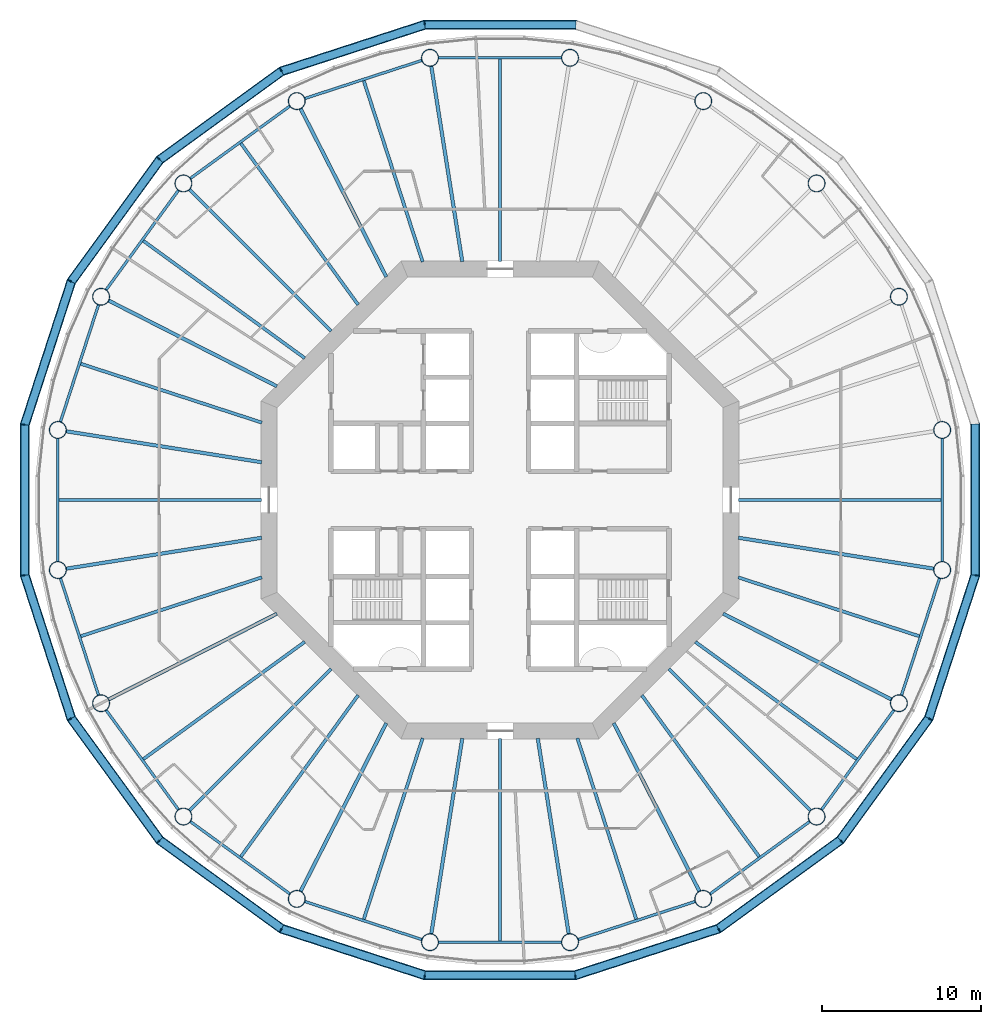
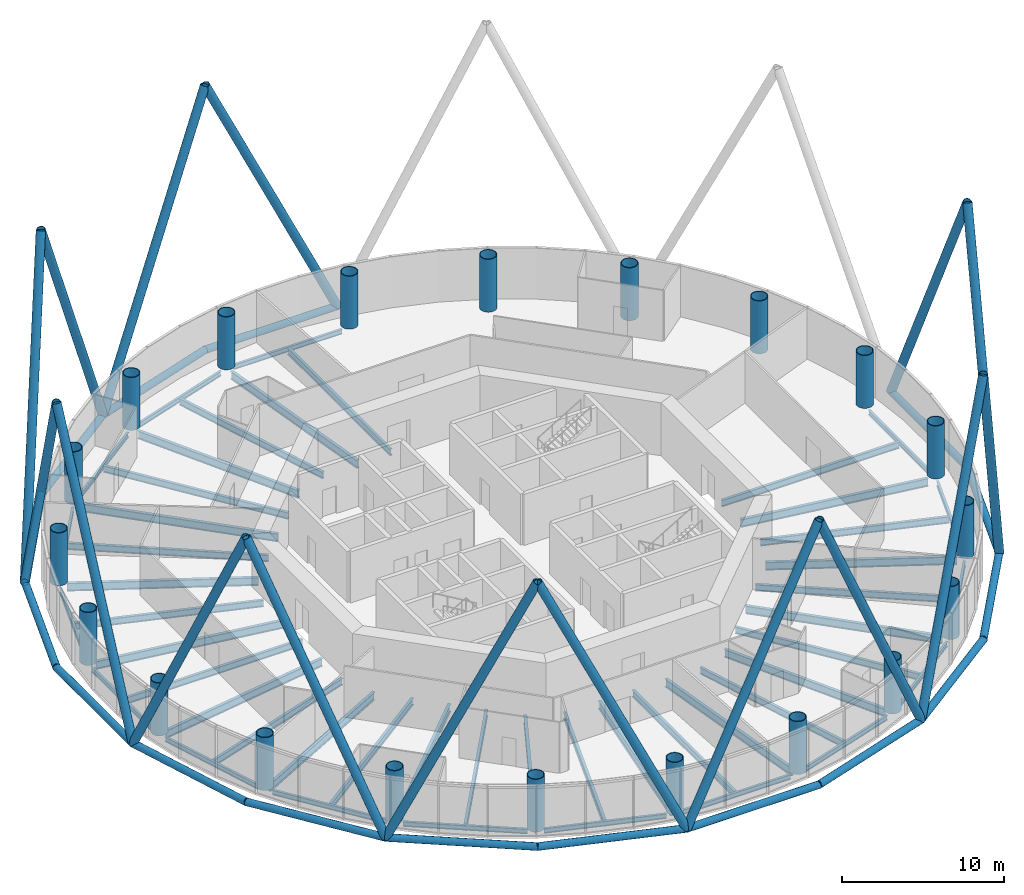
# One storey, part 1 of 13: 47 beams, 32 members, 20 columns.
"""IFC4 building model written with IfcOpenShell, lengths in metres."""

from ifc_helpers import new_model, si_unit, direction, frame, origin, origin_2d, place, context, subcontext, project, spatial, circle, hollow_circle, i_section, extrude, material, material_profile, profile_set, type_object, element, save


model = new_model("IFC4")

# Units and contexts
model_context = context("Model", 3, precision=1e-05, world=origin(), true_north=direction((0.0, 1.0)))
body_context = subcontext(model_context, "Body", "Model", "MODEL_VIEW")
ifc_project = project(units=[si_unit("LENGTHUNIT", "METRE"), si_unit("AREAUNIT", "SQUARE_METRE"), si_unit("VOLUMEUNIT", "CUBIC_METRE"), si_unit("PLANEANGLEUNIT", "RADIAN"), si_unit("MASSUNIT", "GRAM", prefix="KILO")], contexts=[model_context])

# Site, building, storey
site_placement = place(None, origin())
site = spatial("IfcSite", under=ifc_project, at=site_placement, CompositionType="ELEMENT")
building_placement = place(site_placement, origin())
building = spatial("IfcBuilding", under=site, at=building_placement, Name="Entoto Ring Tower", CompositionType="ELEMENT")
storey_placement = place(building_placement, frame((0.0, 0.0, 180.0)))
storey = spatial("IfcBuildingStorey", under=building, at=storey_placement, Name="L41", CompositionType="ELEMENT", Elevation=180.0)

# Columns
ifc_material_1 = material(Name="Steel S355", Category="steel")
ifc_material_profile_1 = material_profile(ifc_material_1, hollow_circle(Radius=0.550048828125, WallThickness=0.050048828125, at=origin_2d()), Name="CHS 1100 x 50")
ifc_material_2 = material(Name="Concrete C60/75", Category="concrete")
ifc_material_profile_2 = material_profile(ifc_material_2, circle(Radius=0.5, at=origin_2d()), Name="Concrete C60/75 infill")
ifc_profile_set_1 = profile_set([ifc_material_profile_1, ifc_material_profile_2], Name="Steel S355")
column_type = type_object("IfcColumnType", Name="Ring column 1100 x 50 concrete-filled tube", PredefinedType="COLUMN", material=ifc_profile_set_1)
for number, where, z_axis, x_axis, name in (
    (1, (117.754150390625, 84.395751953125, 0.0), (0.0, 0.0, 1.0), (1.0, 0.0, 0.0), "RC3 R01"),
    (2, (115.037353515625, 92.757080078125, 0.0), (0.0, 0.0, 1.0), (1.0, 0.0, 0.0), "RC3 R02"),
    (3, (109.86962890625, 99.86962890625, 0.0), (0.0, 0.0, 1.0), (1.0, 0.0, 0.0), "RC3 R03"),
    (4, (102.757080078125, 105.037353515625, 0.0), (0.0, 0.0, 1.0), (1.0, 0.0, 0.0), "RC3 R04"),
    (5, (94.395751953125, 107.754150390625, 0.0), (0.0, 0.0, 1.0), (1.0, 0.0, 0.0), "RC3 R05"),
    (6, (85.604248046875, 107.754150390625, 0.0), (0.0, 0.0, 1.0), (1.0, 0.0, 0.0), "RC3 R06"),
    (7, (77.242919921875, 105.037353515625, 0.0), (0.0, 0.0, 1.0), (1.0, 0.0, 0.0), "RC3 R07"),
    (8, (70.13037109375, 99.86962890625, 0.0), (0.0, 0.0, 1.0), (1.0, 0.0, 0.0), "RC3 R08"),
    (9, (64.962646484375, 92.757080078125, 0.0), (0.0, 0.0, 1.0), (1.0, 0.0, 0.0), "RC3 R09"),
    (10, (62.245849609375, 84.395751953125, 0.0), (0.0, 0.0, 1.0), (1.0, 0.0, 0.0), "RC3 R10"),
    (11, (62.245849609375, 75.604248046875, 0.0), (0.0, 0.0, 1.0), (1.0, 0.0, 0.0), "RC3 R11"),
    (12, (64.962646484375, 67.242919921875, 0.0), (0.0, 0.0, 1.0), (1.0, 0.0, 0.0), "RC3 R12"),
    (13, (70.13037109375, 60.13037109375, 0.0), (0.0, 0.0, 1.0), (1.0, 0.0, 0.0), "RC3 R13"),
    (14, (77.242919921875, 54.962646484375, 0.0), (0.0, 0.0, 1.0), (1.0, 0.0, 0.0), "RC3 R14"),
    (15, (85.604248046875, 52.245849609375, 0.0), (0.0, 0.0, 1.0), (1.0, 0.0, 0.0), "RC3 R15"),
    (16, (94.395751953125, 52.245849609375, 0.0), (0.0, 0.0, 1.0), (1.0, 0.0, 0.0), "RC3 R16"),
    (17, (102.757080078125, 54.962646484375, 0.0), (0.0, 0.0, 1.0), (1.0, 0.0, 0.0), "RC3 R17"),
    (18, (109.86962890625, 60.13037109375, 0.0), (0.0, 0.0, 1.0), (1.0, 0.0, 0.0), "RC3 R18"),
    (19, (115.037353515625, 67.242919921875, 0.0), (0.0, 0.0, 1.0), (1.0, 0.0, 0.0), "RC3 R19"),
    (20, (117.754150390625, 75.604248046875, 0.0), (0.0, 0.0, 1.0), (1.0, 0.0, 0.0), "RC3 R20"),
):
    element("IfcColumn", number, at=place(storey_placement, frame(where, z_axis=z_axis, x_axis=x_axis)), inside=storey, type_object=column_type, Name=name, PredefinedType="COLUMN", context=body_context, shape_type="SweptSolid", body=[
        extrude(hollow_circle(Radius=0.550048828125, WallThickness=0.050048828125, at=origin_2d()), origin(), (0.0, 0.0, 1.0), 4.0),
    ])

# Members
ifc_material_3 = material(Name="Steel S355", Category="steel")
ifc_material_profile_3 = material_profile(ifc_material_3, hollow_circle(Radius=0.300048828125, WallThickness=0.030029296875, at=origin_2d()), Name="CHS 600 x 30")
ifc_material_4 = material(Name="Concrete C60/75", Category="concrete")
ifc_material_profile_4 = material_profile(ifc_material_4, circle(Radius=0.27001953125, at=origin_2d()), Name="Concrete C60/75 infill")
ifc_profile_set_2 = profile_set([ifc_material_profile_3, ifc_material_profile_4], Name="Steel S355")
member_type_1 = type_object("IfcMemberType", Name="Diagrid diagonal 600 x 30 concrete-filled tube", PredefinedType="BRACE", material=ifc_profile_set_2)
for number, where, z_axis, x_axis, name in (
    (21, (119.828125, 84.724365234375, 0.0), (0.0, -0.427164734279, 0.904173816137), (1.0, 0.0, 0.0), "DG4 module 13 01"),
    (22, (94.724365234375, 109.828125, 0.0), (-0.427164734279, 0.0, 0.904173816137), (0.0, -1.0, 0.0), "DG4 module 13 06"),
    (23, (76.28955078125, 106.908447265625, 0.0), (0.406250870943, 0.131995385813, 0.904177774545), (-0.309009532745, 0.951058940693, 0.0), "DG4 module 13 07"),
    (24, (76.28955078125, 106.908447265625, 0.0), (-0.345588098254, -0.2510759177, 0.904173517582), (0.587772178061, -0.809026493198, 0.0), "DG4 module 13 08"),
    (25, (63.091552734375, 93.71044921875, 0.0), (0.2510759177, 0.345588098254, 0.904173517582), (-0.809026493198, 0.587772178061, 0.0), "DG4 module 13 09"),
    (26, (63.091552734375, 93.71044921875, 0.0), (-0.131995385813, -0.406250870943, 0.904177774545), (0.951058940693, -0.309009532745, 0.0), "DG4 module 13 10"),
    (27, (60.171875, 75.275634765625, 0.0), (0.0, 0.427164734279, 0.904173816137), (-1.0, 0.0, 0.0), "DG4 module 13 11"),
    (28, (60.171875, 75.275634765625, 0.0), (0.131995385813, -0.406250870943, 0.904177774545), (0.951058940693, 0.309009532745, 0.0), "DG4 module 13 12"),
    (29, (68.645263671875, 58.645263671875, 0.0), (-0.2510759177, 0.345588098254, 0.904173517582), (-0.809026493198, -0.587772178061, 0.0), "DG4 module 13 13"),
    (30, (68.645263671875, 58.645263671875, 0.0), (0.345588098254, -0.2510759177, 0.904173517582), (0.587772178061, 0.809026493198, 0.0), "DG4 module 13 14"),
    (31, (85.275634765625, 50.171875, 0.0), (-0.406250870943, 0.131995385813, 0.904177774545), (-0.309009532745, -0.951058940693, 0.0), "DG4 module 13 15"),
    (32, (85.275634765625, 50.171875, 0.0), (0.427164734279, 0.0, 0.904173816137), (0.0, 1.0, 0.0), "DG4 module 13 16"),
    (33, (103.71044921875, 53.091552734375, 0.0), (-0.406250870943, -0.131995385813, 0.904177774545), (0.309009532745, -0.951058940693, 0.0), "DG4 module 13 17"),
    (34, (103.71044921875, 53.091552734375, 0.0), (0.345588098254, 0.2510759177, 0.904173517582), (-0.587772178061, 0.809026493198, 0.0), "DG4 module 13 18"),
    (35, (116.908447265625, 66.28955078125, 0.0), (-0.2510759177, -0.345588098254, 0.904173517582), (0.809026493198, -0.587772178061, 0.0), "DG4 module 13 19"),
    (36, (116.908447265625, 66.28955078125, 0.0), (0.131995385813, 0.406250870943, 0.904177774545), (-0.951058940693, 0.309009532745, 0.0), "DG4 module 13 20"),
):
    element("IfcMember", number, at=place(storey_placement, frame(where, z_axis=z_axis, x_axis=x_axis)), inside=storey, type_object=member_type_1, Name=name, PredefinedType="BRACE", context=body_context, shape_type="SweptSolid", body=[
        extrude(hollow_circle(Radius=0.300048828125, WallThickness=0.030029296875, at=origin_2d()), origin(), (0.0, 0.0, 1.0), 22.11962890625),
    ])
ifc_material_5 = material(Name="Steel S355", Category="steel")
ifc_material_profile_5 = material_profile(ifc_material_5, hollow_circle(Radius=0.25390625, WallThickness=0.030029296875, at=origin_2d()), Name="CHS 508 x 30")
ifc_material_6 = material(Name="Concrete C60/75", Category="concrete")
ifc_material_profile_6 = material_profile(ifc_material_6, circle(Radius=0.22412109375, at=origin_2d()), Name="Concrete C60/75 infill")
ifc_profile_set_3 = profile_set([ifc_material_profile_5, ifc_material_profile_6], Name="Steel S355")
member_type_2 = type_object("IfcMemberType", Name="Diagrid ring beam 508 x 30", PredefinedType="CHORD", material=ifc_profile_set_3)
member_1_placement = place(storey_placement, frame((94.78466796875, 109.828125, 0.0), z_axis=(-1.0, 0.0, 0.0), x_axis=(0.0, -1.0, 0.0)))
element("IfcMember", 37, at=member_1_placement, inside=storey, type_object=member_type_2, Name="DR2 ring 12 05", PredefinedType="CHORD", context=body_context, shape_type="SweptSolid", body=[
    extrude(hollow_circle(Radius=0.25390625, WallThickness=0.030029296875, at=origin_2d()), origin(), (0.0, 0.0, 1.0), 9.5693359375),
])
for number, where, z_axis, x_axis, name in (
    (38, (85.3330078125, 109.8466796875, 0.0), (-0.951064250524, -0.308993189852, 0.0), (0.308993189852, -0.951064250524, 0.0), "DR2 ring 12 06"),
    (39, (76.338134765625, 106.94384765625, 0.0), (-0.809016230274, -0.587786303985, 0.0), (0.587786303985, -0.809016230274, 0.0), "DR2 ring 12 07"),
    (40, (68.6806640625, 101.4033203125, 0.0), (-0.587786303985, -0.809016230274, 0.0), (0.809016230274, -0.587786303985, 0.0), "DR2 ring 12 08"),
    (41, (63.110107421875, 93.767822265625, 0.0), (-0.308993189852, -0.951064250524, 0.0), (0.951064250524, -0.308993189852, 0.0), "DR2 ring 12 09"),
):
    element("IfcMember", number, at=place(storey_placement, frame(where, z_axis=z_axis, x_axis=x_axis)), inside=storey, type_object=member_type_2, Name=name, PredefinedType="CHORD", context=body_context, shape_type="SweptSolid", body=[
        extrude(hollow_circle(Radius=0.25390625, WallThickness=0.030029296875, at=origin_2d()), origin(), (0.0, 0.0, 1.0), 9.569091796875),
    ])
member_2_placement = place(storey_placement, frame((60.171875, 84.78466796875, 0.0), z_axis=(0.0, -1.0, 0.0), x_axis=(1.0, 0.0, 0.0)))
element("IfcMember", 42, at=member_2_placement, inside=storey, type_object=member_type_2, Name="DR2 ring 12 10", PredefinedType="CHORD", context=body_context, shape_type="SweptSolid", body=[
    extrude(hollow_circle(Radius=0.25390625, WallThickness=0.030029296875, at=origin_2d()), origin(), (0.0, 0.0, 1.0), 9.5693359375),
])
for number, where, z_axis, x_axis, name in (
    (43, (60.1533203125, 75.3330078125, 0.0), (0.308993189852, -0.951064250524, 0.0), (0.951064250524, 0.308993189852, 0.0), "DR2 ring 12 11"),
    (44, (63.05615234375, 66.338134765625, 0.0), (0.587786303985, -0.809016230274, 0.0), (0.809016230274, 0.587786303985, 0.0), "DR2 ring 12 12"),
    (45, (68.5966796875, 58.6806640625, 0.0), (0.809016230274, -0.587786303985, 0.0), (0.587786303985, 0.809016230274, 0.0), "DR2 ring 12 13"),
    (46, (76.232177734375, 53.110107421875, 0.0), (0.951064250524, -0.308993189852, 0.0), (0.308993189852, 0.951064250524, 0.0), "DR2 ring 12 14"),
):
    element("IfcMember", number, at=place(storey_placement, frame(where, z_axis=z_axis, x_axis=x_axis)), inside=storey, type_object=member_type_2, Name=name, PredefinedType="CHORD", context=body_context, shape_type="SweptSolid", body=[
        extrude(hollow_circle(Radius=0.25390625, WallThickness=0.030029296875, at=origin_2d()), origin(), (0.0, 0.0, 1.0), 9.569091796875),
    ])
member_3_placement = place(storey_placement, frame((85.21533203125, 50.171875, 0.0), z_axis=(1.0, 0.0, 0.0), x_axis=(0.0, 1.0, 0.0)))
element("IfcMember", 47, at=member_3_placement, inside=storey, type_object=member_type_2, Name="DR2 ring 12 15", PredefinedType="CHORD", context=body_context, shape_type="SweptSolid", body=[
    extrude(hollow_circle(Radius=0.25390625, WallThickness=0.030029296875, at=origin_2d()), origin(), (0.0, 0.0, 1.0), 9.5693359375),
])
for number, where, z_axis, x_axis, name in (
    (48, (94.6669921875, 50.1533203125, 0.0), (0.951064250524, 0.308993189852, 0.0), (-0.308993189852, 0.951064250524, 0.0), "DR2 ring 12 16"),
    (49, (103.661865234375, 53.05615234375, 0.0), (0.809016230274, 0.587786303985, 0.0), (-0.587786303985, 0.809016230274, 0.0), "DR2 ring 12 17"),
    (50, (111.3193359375, 58.5966796875, 0.0), (0.587786303985, 0.809016230274, 0.0), (-0.809016230274, 0.587786303985, 0.0), "DR2 ring 12 18"),
    (51, (116.889892578125, 66.232177734375, 0.0), (0.308993189852, 0.951064250524, 0.0), (-0.951064250524, 0.308993189852, 0.0), "DR2 ring 12 19"),
):
    element("IfcMember", number, at=place(storey_placement, frame(where, z_axis=z_axis, x_axis=x_axis)), inside=storey, type_object=member_type_2, Name=name, PredefinedType="CHORD", context=body_context, shape_type="SweptSolid", body=[
        extrude(hollow_circle(Radius=0.25390625, WallThickness=0.030029296875, at=origin_2d()), origin(), (0.0, 0.0, 1.0), 9.569091796875),
    ])
member_4_placement = place(storey_placement, frame((119.828125, 75.21533203125, 0.0), z_axis=(0.0, 1.0, 0.0), x_axis=(-1.0, 0.0, 0.0)))
element("IfcMember", 52, at=member_4_placement, inside=storey, type_object=member_type_2, Name="DR2 ring 12 20", PredefinedType="CHORD", context=body_context, shape_type="SweptSolid", body=[
    extrude(hollow_circle(Radius=0.25390625, WallThickness=0.030029296875, at=origin_2d()), origin(), (0.0, 0.0, 1.0), 9.5693359375),
])

# Beams
ifc_material_7 = material(Name="Steel S355", Category="steel")
ifc_material_profile_7 = material_profile(ifc_material_7, i_section(OverallWidth=0.169921875, OverallDepth=0.360107421875, WebThickness=0.008056640625, FlangeThickness=0.0126953125, FilletRadius=0.01806640625, at=origin_2d()), Name="IPE 360")
ifc_profile_set_4 = profile_set([ifc_material_profile_7], Name="Steel S355")
beam_type_1 = type_object("IfcBeamType", Name="Edge beam IPE 360", PredefinedType="SPANDREL", material=ifc_profile_set_4)
for number, where, z_axis, x_axis, name in (
    (53, (93.87255859375, 107.754150390625, -0.330078125), (-1.0, 0.0, 0.0), (0.0, -1.0, 0.0), "Edge beam L41 05"),
    (54, (85.1064453125, 107.59228515625, -0.330078125), (-0.951057925874, -0.309012656105, 0.0), (0.309012656105, -0.951057925874, 0.0), "Edge beam L41 06"),
    (55, (76.819580078125, 104.729736328125, -0.330078125), (-0.809012707043, -0.587791153253, 0.0), (0.587791153253, -0.809012707043, 0.0), "Edge beam L41 07"),
    (56, (69.82275390625, 99.4462890625, -0.330078125), (-0.587791153253, -0.809012707043, 0.0), (0.809012707043, -0.587791153253, 0.0), "Edge beam L41 08"),
    (57, (64.801025390625, 92.259521484375, -0.330078125), (-0.309012656105, -0.951057925874, 0.0), (0.951057925874, -0.309012656105, 0.0), "Edge beam L41 09"),
    (58, (62.245849609375, 83.87255859375, -0.330078125), (0.0, -1.0, 0.0), (1.0, 0.0, 0.0), "Edge beam L41 10"),
    (59, (62.40771484375, 75.1064453125, -0.330078125), (0.309012656105, -0.951057925874, 0.0), (0.951057925874, 0.309012656105, 0.0), "Edge beam L41 11"),
    (60, (65.270263671875, 66.819580078125, -0.330078125), (0.587791153253, -0.809012707043, 0.0), (0.809012707043, 0.587791153253, 0.0), "Edge beam L41 12"),
    (61, (70.5537109375, 59.82275390625, -0.330078125), (0.809012707043, -0.587791153253, 0.0), (0.587791153253, 0.809012707043, 0.0), "Edge beam L41 13"),
    (62, (77.740478515625, 54.801025390625, -0.330078125), (0.951057925874, -0.309012656105, 0.0), (0.309012656105, 0.951057925874, 0.0), "Edge beam L41 14"),
    (63, (86.12744140625, 52.245849609375, -0.330078125), (1.0, 0.0, 0.0), (0.0, 1.0, 0.0), "Edge beam L41 15"),
    (64, (94.8935546875, 52.40771484375, -0.330078125), (0.951057925874, 0.309012656105, 0.0), (-0.309012656105, 0.951057925874, 0.0), "Edge beam L41 16"),
    (65, (103.180419921875, 55.270263671875, -0.330078125), (0.809012707043, 0.587791153253, 0.0), (-0.587791153253, 0.809012707043, 0.0), "Edge beam L41 17"),
    (66, (110.17724609375, 60.5537109375, -0.330078125), (0.587791153253, 0.809012707043, 0.0), (-0.809012707043, 0.587791153253, 0.0), "Edge beam L41 18"),
    (67, (115.198974609375, 67.740478515625, -0.330078125), (0.309012656105, 0.951057925874, 0.0), (-0.951057925874, 0.309012656105, 0.0), "Edge beam L41 19"),
    (68, (117.754150390625, 76.12744140625, -0.330078125), (0.0, 1.0, 0.0), (-1.0, 0.0, 0.0), "Edge beam L41 20"),
):
    element("IfcBeam", number, at=place(storey_placement, frame(where, z_axis=z_axis, x_axis=x_axis)), inside=storey, type_object=beam_type_1, Name=name, PredefinedType="SPANDREL", context=body_context, shape_type="SweptSolid", body=[
        extrude(i_section(OverallWidth=0.169921875, OverallDepth=0.360107421875, WebThickness=0.008056640625, FlangeThickness=0.0126953125, FilletRadius=0.01806640625, at=origin_2d()), origin(), (0.0, 0.0, 1.0), 7.7451171875),
    ])
ifc_material_8 = material(Name="Steel S355", Category="steel")
ifc_material_profile_8 = material_profile(ifc_material_8, i_section(OverallWidth=0.219970703125, OverallDepth=0.60009765625, WebThickness=0.011962890625, FlangeThickness=0.01904296875, FilletRadius=0.02392578125, at=origin_2d()), Name="IPE 600")
ifc_profile_set_5 = profile_set([ifc_material_profile_8], Name="Steel S355")
beam_type_2 = type_object("IfcBeamType", Name="Primary floor beam IPE 600", PredefinedType="BEAM", material=ifc_profile_set_5)
beam_1_placement = place(storey_placement, frame((87.630126953125, 94.963134765625, -0.449951171875), z_axis=(-0.156441579247, 0.987687213789, 0.0), x_axis=(-0.987687213789, -0.156441579247, 0.0)))
element("IfcBeam", 69, at=beam_1_placement, inside=storey, type_object=beam_type_2, Name="Primary L41 R06", PredefinedType="BEAM", context=body_context, shape_type="SweptSolid", body=[
    extrude(i_section(OverallWidth=0.219970703125, OverallDepth=0.60009765625, WebThickness=0.011962890625, FlangeThickness=0.01904296875, FilletRadius=0.02392578125, at=origin_2d()), origin(), (0.0, 0.0, 1.0), 12.431640625),
])
beam_2_placement = place(storey_placement, frame((82.864990234375, 94.003173828125, -0.449951171875), z_axis=(-0.453982805399, 0.891010444609, 0.0), x_axis=(-0.891010444609, -0.453982805399, 0.0)))
element("IfcBeam", 70, at=beam_2_placement, inside=storey, type_object=beam_type_2, Name="Primary L41 R07", PredefinedType="BEAM", context=body_context, shape_type="SweptSolid", body=[
    extrude(i_section(OverallWidth=0.219970703125, OverallDepth=0.60009765625, WebThickness=0.011962890625, FlangeThickness=0.01904296875, FilletRadius=0.02392578125, at=origin_2d()), origin(), (0.0, 0.0, 1.0), 11.864990234375),
])
beam_3_placement = place(storey_placement, frame((79.407470703125, 90.592529296875, -0.449951171875), z_axis=(-0.707106781187, 0.707106781187, 0.0), x_axis=(-0.707106781187, -0.707106781187, 0.0)))
element("IfcBeam", 71, at=beam_3_placement, inside=storey, type_object=beam_type_2, Name="Primary L41 R08", PredefinedType="BEAM", context=body_context, shape_type="SweptSolid", body=[
    extrude(i_section(OverallWidth=0.219970703125, OverallDepth=0.60009765625, WebThickness=0.011962890625, FlangeThickness=0.01904296875, FilletRadius=0.02392578125, at=origin_2d()), origin(), (0.0, 0.0, 1.0), 12.601318359375),
])
beam_4_placement = place(storey_placement, frame((75.996826171875, 87.135009765625, -0.449951171875), z_axis=(-0.891010444609, 0.453982805399, 0.0), x_axis=(-0.453982805399, -0.891010444609, 0.0)))
element("IfcBeam", 72, at=beam_4_placement, inside=storey, type_object=beam_type_2, Name="Primary L41 R09", PredefinedType="BEAM", context=body_context, shape_type="SweptSolid", body=[
    extrude(i_section(OverallWidth=0.219970703125, OverallDepth=0.60009765625, WebThickness=0.011962890625, FlangeThickness=0.01904296875, FilletRadius=0.02392578125, at=origin_2d()), origin(), (0.0, 0.0, 1.0), 11.864990234375),
])
for number, where, z_axis, x_axis, name in (
    (73, (75.036865234375, 82.369873046875, -0.449951171875), (-0.987687213789, 0.156441579247, 0.0), (-0.156441579247, -0.987687213789, 0.0), "Primary L41 R10"),
    (74, (75.036865234375, 77.630126953125, -0.449951171875), (-0.987687213789, -0.156441579247, 0.0), (0.156441579247, -0.987687213789, 0.0), "Primary L41 R11"),
):
    element("IfcBeam", number, at=place(storey_placement, frame(where, z_axis=z_axis, x_axis=x_axis)), inside=storey, type_object=beam_type_2, Name=name, PredefinedType="BEAM", context=body_context, shape_type="SweptSolid", body=[
        extrude(i_section(OverallWidth=0.219970703125, OverallDepth=0.60009765625, WebThickness=0.011962890625, FlangeThickness=0.01904296875, FilletRadius=0.02392578125, at=origin_2d()), origin(), (0.0, 0.0, 1.0), 12.431640625),
    ])
beam_5_placement = place(storey_placement, frame((75.996826171875, 72.864990234375, -0.449951171875), z_axis=(-0.891010444609, -0.453982805399, 0.0), x_axis=(0.453982805399, -0.891010444609, 0.0)))
element("IfcBeam", 75, at=beam_5_placement, inside=storey, type_object=beam_type_2, Name="Primary L41 R12", PredefinedType="BEAM", context=body_context, shape_type="SweptSolid", body=[
    extrude(i_section(OverallWidth=0.219970703125, OverallDepth=0.60009765625, WebThickness=0.011962890625, FlangeThickness=0.01904296875, FilletRadius=0.02392578125, at=origin_2d()), origin(), (0.0, 0.0, 1.0), 11.864990234375),
])
beam_6_placement = place(storey_placement, frame((79.407470703125, 69.407470703125, -0.449951171875), z_axis=(-0.707106781187, -0.707106781187, 0.0), x_axis=(0.707106781187, -0.707106781187, 0.0)))
element("IfcBeam", 76, at=beam_6_placement, inside=storey, type_object=beam_type_2, Name="Primary L41 R13", PredefinedType="BEAM", context=body_context, shape_type="SweptSolid", body=[
    extrude(i_section(OverallWidth=0.219970703125, OverallDepth=0.60009765625, WebThickness=0.011962890625, FlangeThickness=0.01904296875, FilletRadius=0.02392578125, at=origin_2d()), origin(), (0.0, 0.0, 1.0), 12.601318359375),
])
beam_7_placement = place(storey_placement, frame((82.864990234375, 65.996826171875, -0.449951171875), z_axis=(-0.453982805399, -0.891010444609, 0.0), x_axis=(0.891010444609, -0.453982805399, 0.0)))
element("IfcBeam", 77, at=beam_7_placement, inside=storey, type_object=beam_type_2, Name="Primary L41 R14", PredefinedType="BEAM", context=body_context, shape_type="SweptSolid", body=[
    extrude(i_section(OverallWidth=0.219970703125, OverallDepth=0.60009765625, WebThickness=0.011962890625, FlangeThickness=0.01904296875, FilletRadius=0.02392578125, at=origin_2d()), origin(), (0.0, 0.0, 1.0), 11.864990234375),
])
for number, where, z_axis, x_axis, name in (
    (78, (87.630126953125, 65.036865234375, -0.449951171875), (-0.156441579247, -0.987687213789, 0.0), (0.987687213789, -0.156441579247, 0.0), "Primary L41 R15"),
    (79, (92.369873046875, 65.036865234375, -0.449951171875), (0.156441579247, -0.987687213789, 0.0), (0.987687213789, 0.156441579247, 0.0), "Primary L41 R16"),
):
    element("IfcBeam", number, at=place(storey_placement, frame(where, z_axis=z_axis, x_axis=x_axis)), inside=storey, type_object=beam_type_2, Name=name, PredefinedType="BEAM", context=body_context, shape_type="SweptSolid", body=[
        extrude(i_section(OverallWidth=0.219970703125, OverallDepth=0.60009765625, WebThickness=0.011962890625, FlangeThickness=0.01904296875, FilletRadius=0.02392578125, at=origin_2d()), origin(), (0.0, 0.0, 1.0), 12.431640625),
    ])
beam_8_placement = place(storey_placement, frame((97.135009765625, 65.996826171875, -0.449951171875), z_axis=(0.453982805399, -0.891010444609, 0.0), x_axis=(0.891010444609, 0.453982805399, 0.0)))
element("IfcBeam", 80, at=beam_8_placement, inside=storey, type_object=beam_type_2, Name="Primary L41 R17", PredefinedType="BEAM", context=body_context, shape_type="SweptSolid", body=[
    extrude(i_section(OverallWidth=0.219970703125, OverallDepth=0.60009765625, WebThickness=0.011962890625, FlangeThickness=0.01904296875, FilletRadius=0.02392578125, at=origin_2d()), origin(), (0.0, 0.0, 1.0), 11.864990234375),
])
beam_9_placement = place(storey_placement, frame((100.592529296875, 69.407470703125, -0.449951171875), z_axis=(0.707106781187, -0.707106781187, 0.0), x_axis=(0.707106781187, 0.707106781187, 0.0)))
element("IfcBeam", 81, at=beam_9_placement, inside=storey, type_object=beam_type_2, Name="Primary L41 R18", PredefinedType="BEAM", context=body_context, shape_type="SweptSolid", body=[
    extrude(i_section(OverallWidth=0.219970703125, OverallDepth=0.60009765625, WebThickness=0.011962890625, FlangeThickness=0.01904296875, FilletRadius=0.02392578125, at=origin_2d()), origin(), (0.0, 0.0, 1.0), 12.601318359375),
])
beam_10_placement = place(storey_placement, frame((104.003173828125, 72.864990234375, -0.449951171875), z_axis=(0.891010444609, -0.453982805399, 0.0), x_axis=(0.453982805399, 0.891010444609, 0.0)))
element("IfcBeam", 82, at=beam_10_placement, inside=storey, type_object=beam_type_2, Name="Primary L41 R19", PredefinedType="BEAM", context=body_context, shape_type="SweptSolid", body=[
    extrude(i_section(OverallWidth=0.219970703125, OverallDepth=0.60009765625, WebThickness=0.011962890625, FlangeThickness=0.01904296875, FilletRadius=0.02392578125, at=origin_2d()), origin(), (0.0, 0.0, 1.0), 11.864990234375),
])
beam_11_placement = place(storey_placement, frame((104.963134765625, 77.630126953125, -0.449951171875), z_axis=(0.987687213789, -0.156441579247, 0.0), x_axis=(0.156441579247, 0.987687213789, 0.0)))
element("IfcBeam", 83, at=beam_11_placement, inside=storey, type_object=beam_type_2, Name="Primary L41 R20", PredefinedType="BEAM", context=body_context, shape_type="SweptSolid", body=[
    extrude(i_section(OverallWidth=0.219970703125, OverallDepth=0.60009765625, WebThickness=0.011962890625, FlangeThickness=0.01904296875, FilletRadius=0.02392578125, at=origin_2d()), origin(), (0.0, 0.0, 1.0), 12.431640625),
])
ifc_material_9 = material(Name="Steel S355", Category="steel")
ifc_material_profile_9 = material_profile(ifc_material_9, i_section(OverallWidth=0.199951171875, OverallDepth=0.5, WebThickness=0.01025390625, FlangeThickness=0.01611328125, FilletRadius=0.02099609375, at=origin_2d()), Name="IPE 500")
ifc_profile_set_6 = profile_set([ifc_material_profile_9], Name="Steel S355")
beam_type_3 = type_object("IfcBeamType", Name="Secondary floor beam IPE 500", PredefinedType="JOIST", material=ifc_profile_set_6)
beam_12_placement = place(storey_placement, frame((90.0, 94.97998046875, -0.39990234375), z_axis=(0.0, 1.0, 0.0), x_axis=(-1.0, 0.0, 0.0)))
element("IfcBeam", 84, at=beam_12_placement, inside=storey, type_object=beam_type_3, Name="Secondary beam L41 05", PredefinedType="JOIST", context=body_context, shape_type="SweptSolid", body=[
    extrude(i_section(OverallWidth=0.199951171875, OverallDepth=0.5, WebThickness=0.01025390625, FlangeThickness=0.01611328125, FilletRadius=0.02099609375, at=origin_2d()), origin(), (0.0, 0.0, 1.0), 12.68896484375),
])
beam_13_placement = place(storey_placement, frame((85.142333984375, 94.9501953125, -0.39990234375), z_axis=(-0.30901677521, 0.951056587506, 0.0), x_axis=(-0.951056587506, -0.30901677521, 0.0)))
element("IfcBeam", 85, at=beam_13_placement, inside=storey, type_object=beam_type_3, Name="Secondary beam L41 06", PredefinedType="JOIST", context=body_context, shape_type="SweptSolid", body=[
    extrude(i_section(OverallWidth=0.199951171875, OverallDepth=0.5, WebThickness=0.01025390625, FlangeThickness=0.01611328125, FilletRadius=0.02099609375, at=origin_2d()), origin(), (0.0, 0.0, 1.0), 11.94970703125),
])
for number, where, z_axis, x_axis, name in (
    (86, (81.094482421875, 92.257568359375, -0.39990234375), (-0.587788946436, 0.80901431041, 0.0), (-0.80901431041, -0.587788946436, 0.0), "Secondary beam L41 07"),
    (87, (77.742431640625, 88.905517578125, -0.39990234375), (-0.80901431041, 0.587788946436, 0.0), (-0.587788946436, -0.80901431041, 0.0), "Secondary beam L41 08"),
):
    element("IfcBeam", number, at=place(storey_placement, frame(where, z_axis=z_axis, x_axis=x_axis)), inside=storey, type_object=beam_type_3, Name=name, PredefinedType="JOIST", context=body_context, shape_type="SweptSolid", body=[
        extrude(i_section(OverallWidth=0.199951171875, OverallDepth=0.5, WebThickness=0.01025390625, FlangeThickness=0.01611328125, FilletRadius=0.02099609375, at=origin_2d()), origin(), (0.0, 0.0, 1.0), 12.51806640625),
    ])
beam_14_placement = place(storey_placement, frame((75.0498046875, 84.857666015625, -0.39990234375), z_axis=(-0.951056587506, 0.30901677521, 0.0), x_axis=(-0.30901677521, -0.951056587506, 0.0)))
element("IfcBeam", 88, at=beam_14_placement, inside=storey, type_object=beam_type_3, Name="Secondary beam L41 09", PredefinedType="JOIST", context=body_context, shape_type="SweptSolid", body=[
    extrude(i_section(OverallWidth=0.199951171875, OverallDepth=0.5, WebThickness=0.01025390625, FlangeThickness=0.01611328125, FilletRadius=0.02099609375, at=origin_2d()), origin(), (0.0, 0.0, 1.0), 11.94970703125),
])
beam_15_placement = place(storey_placement, frame((75.02001953125, 80.0, -0.39990234375), z_axis=(-1.0, 0.0, 0.0), x_axis=(0.0, -1.0, 0.0)))
element("IfcBeam", 89, at=beam_15_placement, inside=storey, type_object=beam_type_3, Name="Secondary beam L41 10", PredefinedType="JOIST", context=body_context, shape_type="SweptSolid", body=[
    extrude(i_section(OverallWidth=0.199951171875, OverallDepth=0.5, WebThickness=0.01025390625, FlangeThickness=0.01611328125, FilletRadius=0.02099609375, at=origin_2d()), origin(), (0.0, 0.0, 1.0), 12.68896484375),
])
beam_16_placement = place(storey_placement, frame((75.0498046875, 75.142333984375, -0.39990234375), z_axis=(-0.951056587506, -0.30901677521, 0.0), x_axis=(0.30901677521, -0.951056587506, 0.0)))
element("IfcBeam", 90, at=beam_16_placement, inside=storey, type_object=beam_type_3, Name="Secondary beam L41 11", PredefinedType="JOIST", context=body_context, shape_type="SweptSolid", body=[
    extrude(i_section(OverallWidth=0.199951171875, OverallDepth=0.5, WebThickness=0.01025390625, FlangeThickness=0.01611328125, FilletRadius=0.02099609375, at=origin_2d()), origin(), (0.0, 0.0, 1.0), 11.94970703125),
])
for number, where, z_axis, x_axis, name in (
    (91, (77.742431640625, 71.094482421875, -0.39990234375), (-0.80901431041, -0.587788946436, 0.0), (0.587788946436, -0.80901431041, 0.0), "Secondary beam L41 12"),
    (92, (81.094482421875, 67.742431640625, -0.39990234375), (-0.587788946436, -0.80901431041, 0.0), (0.80901431041, -0.587788946436, 0.0), "Secondary beam L41 13"),
):
    element("IfcBeam", number, at=place(storey_placement, frame(where, z_axis=z_axis, x_axis=x_axis)), inside=storey, type_object=beam_type_3, Name=name, PredefinedType="JOIST", context=body_context, shape_type="SweptSolid", body=[
        extrude(i_section(OverallWidth=0.199951171875, OverallDepth=0.5, WebThickness=0.01025390625, FlangeThickness=0.01611328125, FilletRadius=0.02099609375, at=origin_2d()), origin(), (0.0, 0.0, 1.0), 12.51806640625),
    ])
beam_17_placement = place(storey_placement, frame((85.142333984375, 65.0498046875, -0.39990234375), z_axis=(-0.30901677521, -0.951056587506, 0.0), x_axis=(0.951056587506, -0.30901677521, 0.0)))
element("IfcBeam", 93, at=beam_17_placement, inside=storey, type_object=beam_type_3, Name="Secondary beam L41 14", PredefinedType="JOIST", context=body_context, shape_type="SweptSolid", body=[
    extrude(i_section(OverallWidth=0.199951171875, OverallDepth=0.5, WebThickness=0.01025390625, FlangeThickness=0.01611328125, FilletRadius=0.02099609375, at=origin_2d()), origin(), (0.0, 0.0, 1.0), 11.94970703125),
])
beam_18_placement = place(storey_placement, frame((90.0, 65.02001953125, -0.39990234375), z_axis=(0.0, -1.0, 0.0), x_axis=(1.0, 0.0, 0.0)))
element("IfcBeam", 94, at=beam_18_placement, inside=storey, type_object=beam_type_3, Name="Secondary beam L41 15", PredefinedType="JOIST", context=body_context, shape_type="SweptSolid", body=[
    extrude(i_section(OverallWidth=0.199951171875, OverallDepth=0.5, WebThickness=0.01025390625, FlangeThickness=0.01611328125, FilletRadius=0.02099609375, at=origin_2d()), origin(), (0.0, 0.0, 1.0), 12.68896484375),
])
beam_19_placement = place(storey_placement, frame((94.857666015625, 65.0498046875, -0.39990234375), z_axis=(0.30901677521, -0.951056587506, 0.0), x_axis=(0.951056587506, 0.30901677521, 0.0)))
element("IfcBeam", 95, at=beam_19_placement, inside=storey, type_object=beam_type_3, Name="Secondary beam L41 16", PredefinedType="JOIST", context=body_context, shape_type="SweptSolid", body=[
    extrude(i_section(OverallWidth=0.199951171875, OverallDepth=0.5, WebThickness=0.01025390625, FlangeThickness=0.01611328125, FilletRadius=0.02099609375, at=origin_2d()), origin(), (0.0, 0.0, 1.0), 11.94970703125),
])
for number, where, z_axis, x_axis, name in (
    (96, (98.905517578125, 67.742431640625, -0.39990234375), (0.587788946436, -0.80901431041, 0.0), (0.80901431041, 0.587788946436, 0.0), "Secondary beam L41 17"),
    (97, (102.257568359375, 71.094482421875, -0.39990234375), (0.80901431041, -0.587788946436, 0.0), (0.587788946436, 0.80901431041, 0.0), "Secondary beam L41 18"),
):
    element("IfcBeam", number, at=place(storey_placement, frame(where, z_axis=z_axis, x_axis=x_axis)), inside=storey, type_object=beam_type_3, Name=name, PredefinedType="JOIST", context=body_context, shape_type="SweptSolid", body=[
        extrude(i_section(OverallWidth=0.199951171875, OverallDepth=0.5, WebThickness=0.01025390625, FlangeThickness=0.01611328125, FilletRadius=0.02099609375, at=origin_2d()), origin(), (0.0, 0.0, 1.0), 12.51806640625),
    ])
beam_20_placement = place(storey_placement, frame((104.9501953125, 75.142333984375, -0.39990234375), z_axis=(0.951056587506, -0.30901677521, 0.0), x_axis=(0.30901677521, 0.951056587506, 0.0)))
element("IfcBeam", 98, at=beam_20_placement, inside=storey, type_object=beam_type_3, Name="Secondary beam L41 19", PredefinedType="JOIST", context=body_context, shape_type="SweptSolid", body=[
    extrude(i_section(OverallWidth=0.199951171875, OverallDepth=0.5, WebThickness=0.01025390625, FlangeThickness=0.01611328125, FilletRadius=0.02099609375, at=origin_2d()), origin(), (0.0, 0.0, 1.0), 11.94970703125),
])
beam_21_placement = place(storey_placement, frame((104.97998046875, 80.0, -0.39990234375), z_axis=(1.0, 0.0, 0.0), x_axis=(0.0, 1.0, 0.0)))
element("IfcBeam", 99, at=beam_21_placement, inside=storey, type_object=beam_type_3, Name="Secondary beam L41 20", PredefinedType="JOIST", context=body_context, shape_type="SweptSolid", body=[
    extrude(i_section(OverallWidth=0.199951171875, OverallDepth=0.5, WebThickness=0.01025390625, FlangeThickness=0.01611328125, FilletRadius=0.02099609375, at=origin_2d()), origin(), (0.0, 0.0, 1.0), 12.68896484375),
])

save(model, "model.ifc")
